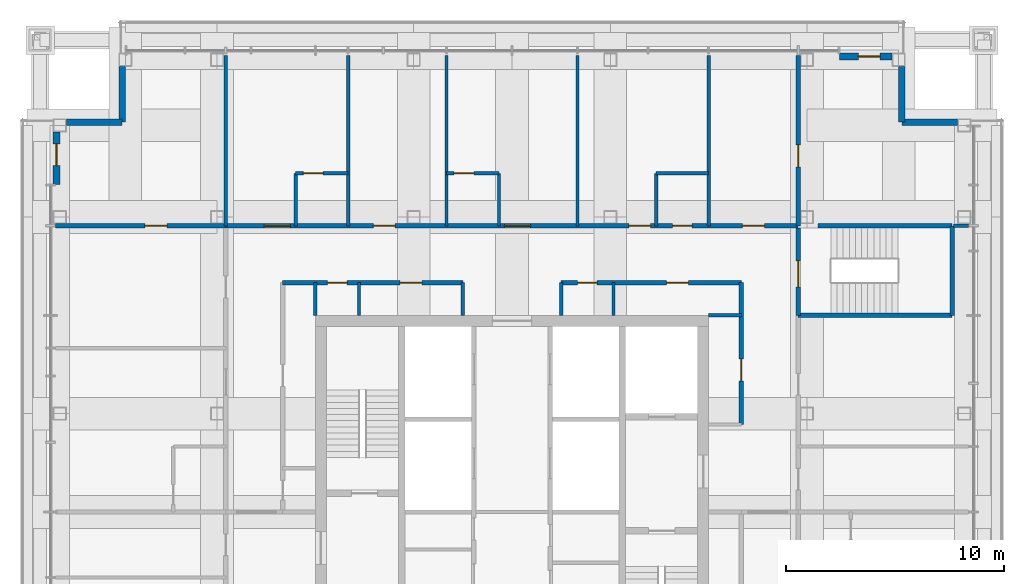
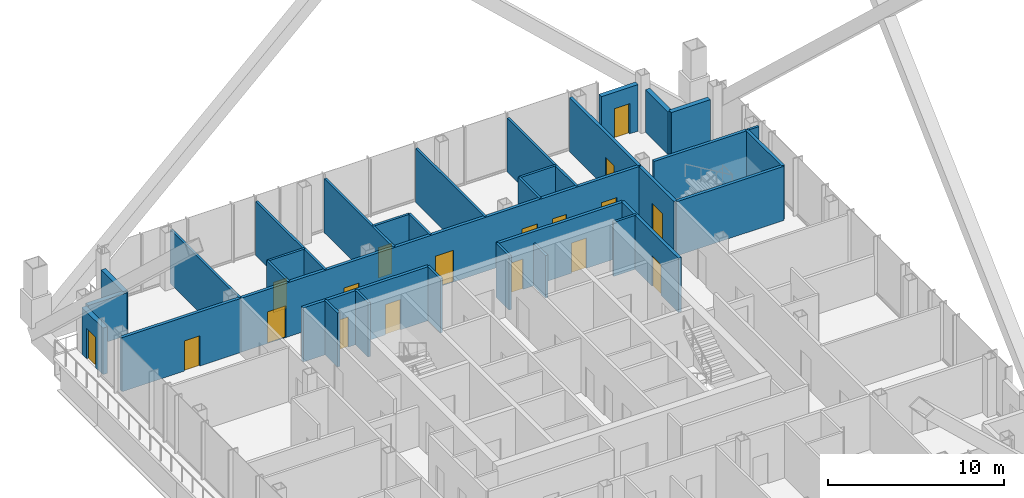
# One storey, part 15 of 19: 34 walls, 18 doors, 18 openings.
"""IFC4 building model written with IfcOpenShell, lengths in metres."""

from ifc_helpers import new_model, si_unit, direction, frame, frame_2d, origin, place, context, subcontext, project, spatial, rectangle, extrude, material, layer, layer_set, type_object, element, fill, save


model = new_model("IFC4")

# Units and contexts
model_context = context("Model", 3, precision=1e-05, world=origin(), true_north=direction((0.0, 1.0)))
body_context = subcontext(model_context, "Body", "Model", "MODEL_VIEW")
ifc_project = project(units=[si_unit("LENGTHUNIT", "METRE"), si_unit("AREAUNIT", "SQUARE_METRE"), si_unit("VOLUMEUNIT", "CUBIC_METRE"), si_unit("PLANEANGLEUNIT", "RADIAN"), si_unit("MASSUNIT", "GRAM", prefix="KILO")], contexts=[model_context])

# Site, building, storey
site_placement = place(None, origin())
site = spatial("IfcSite", under=ifc_project, at=site_placement, CompositionType="ELEMENT")
building_placement = place(site_placement, origin())
building = spatial("IfcBuilding", under=site, at=building_placement, Name="Malebo Sky Hospital", CompositionType="ELEMENT")
storey_placement = place(building_placement, frame((0.0, 0.0, 250.0)))
storey = spatial("IfcBuildingStorey", under=building, at=storey_placement, Name="L60", CompositionType="ELEMENT", Elevation=250.0)

# Wall, openings, doors
ifc_material_1 = material(Name="Gypsum board on steel studs", Category="steel")
ifc_layer_1 = layer(ifc_material_1, 0.199951171875)
ifc_layer_set_1 = layer_set([ifc_layer_1], Name="CORRIDOR WALL 200")
wall_type_1 = type_object("IfcWallType", Name="CORRIDOR WALL 200", PredefinedType="PARTITIONING", material=ifc_layer_set_1)
wall_1_placement = place(storey_placement, frame((46.89990234375, 75.10009765625, 0.0), z_axis=(0.0, 0.0, 1.0), x_axis=(1.0, 0.0, 0.0)))
wall_1 = element("IfcWall", 1, at=wall_1_placement, inside=storey, type_object=wall_type_1, Name="Corridor Wall 200 NCO", PredefinedType="PARTITIONING", context=body_context, shape_type="SweptSolid", body=[
    extrude(rectangle(XDim=26.2001953125, YDim=0.199951171875, at=frame_2d((13.10009765625, 0.0))), origin(), (0.0, 0.0, 1.0), 3.75),
])
opening_1_placement = place(wall_1_placement, frame((1.75, 0.0, 0.0)))
opening_1 = element("IfcOpeningElement", 2, at=opening_1_placement, cuts=wall_1, Name="Opening D01", PredefinedType="OPENING", context=body_context, shape_type="SweptSolid", body=[
    extrude(rectangle(XDim=1.199951171875, YDim=2.199951171875, at=frame_2d((0.60009765625, 1.10009765625))), frame((0.0, 0.10986328125, 0.0), z_axis=(0.0, -1.0, 0.0), x_axis=(1.0, 0.0, 0.0)), (0.0, 0.0, 1.0), 0.219970703125),
])
opening_2_placement = place(wall_1_placement, frame((6.75, 0.0, 0.0)))
opening_2 = element("IfcOpeningElement", 3, at=opening_2_placement, cuts=wall_1, Name="Opening D03", PredefinedType="OPENING", context=body_context, shape_type="SweptSolid", body=[
    extrude(rectangle(XDim=1.0, YDim=2.10009765625, at=frame_2d((0.5, 1.050048828125))), frame((0.0, 0.10986328125, 0.0), z_axis=(0.0, -1.0, 0.0), x_axis=(1.0, 0.0, 0.0)), (0.0, 0.0, 1.0), 0.219970703125),
])
opening_3_placement = place(wall_1_placement, frame((12.75, 0.0, 0.0)))
opening_3 = element("IfcOpeningElement", 4, at=opening_3_placement, cuts=wall_1, Name="Opening D01", PredefinedType="OPENING", context=body_context, shape_type="SweptSolid", body=[
    extrude(rectangle(XDim=1.199951171875, YDim=2.199951171875, at=frame_2d((0.60009765625, 1.10009765625))), frame((0.0, 0.10986328125, 0.0), z_axis=(0.0, -1.0, 0.0), x_axis=(1.0, 0.0, 0.0)), (0.0, 0.0, 1.0), 0.219970703125),
])
opening_4_placement = place(wall_1_placement, frame((20.449951171875, 0.0, 0.0)))
opening_4 = element("IfcOpeningElement", 5, at=opening_4_placement, cuts=wall_1, Name="Opening D04", PredefinedType="OPENING", context=body_context, shape_type="SweptSolid", body=[
    extrude(rectangle(XDim=0.89990234375, YDim=2.10009765625, at=frame_2d((0.449951171875, 1.050048828125))), frame((0.0, 0.10986328125, 0.0), z_axis=(0.0, -1.0, 0.0), x_axis=(1.0, 0.0, 0.0)), (0.0, 0.0, 1.0), 0.219970703125),
])
opening_5_placement = place(wall_1_placement, frame((18.449951171875, 0.0, 0.0)))
opening_5 = element("IfcOpeningElement", 6, at=opening_5_placement, cuts=wall_1, Name="Opening D03", PredefinedType="OPENING", context=body_context, shape_type="SweptSolid", body=[
    extrude(rectangle(XDim=1.0, YDim=2.10009765625, at=frame_2d((0.5, 1.050048828125))), frame((0.0, 0.10986328125, 0.0), z_axis=(0.0, -1.0, 0.0), x_axis=(1.0, 0.0, 0.0)), (0.0, 0.0, 1.0), 0.219970703125),
])
opening_6_placement = place(wall_1_placement, frame((23.64990234375, 0.0, 0.0)))
opening_6 = element("IfcOpeningElement", 7, at=opening_6_placement, cuts=wall_1, Name="Opening D17", PredefinedType="OPENING", context=body_context, shape_type="SweptSolid", body=[
    extrude(rectangle(XDim=1.0, YDim=2.10009765625, at=frame_2d((0.5, 1.050048828125))), frame((0.0, 0.10986328125, 0.0), z_axis=(0.0, -1.0, 0.0), x_axis=(1.0, 0.0, 0.0)), (0.0, 0.0, 1.0), 0.219970703125),
])
ifc_material_2 = material(Name="Hardwood-faced door leaf in steel frame", Category="steel")
door_type_1 = type_object("IfcDoorType", Name="BED DOOR 1200", OperationType="SINGLE_SWING_LEFT", PredefinedType="DOOR", material=ifc_material_2)
door_1_placement = place(opening_1_placement, origin())
door_1 = element("IfcDoor", 8, at=door_1_placement, inside=storey, type_object=door_type_1, Name="Single bed room door", OperationType="SINGLE_SWING_RIGHT", OverallHeight=2.199951171875, OverallWidth=1.199951171875, PredefinedType="DOOR", context=body_context, shape_type="SweptSolid", body=[
    extrude(rectangle(XDim=1.199951171875, YDim=2.199951171875, at=frame_2d((0.60009765625, 1.10009765625))), frame((0.0, 0.02490234375, 0.0), z_axis=(0.0, -1.0, 0.0), x_axis=(1.0, 0.0, 0.0)), (0.0, 0.0, 1.0), 0.050048828125),
])
fill(opening_1, door_1)
door_2_placement = place(opening_3_placement, origin())
door_2 = element("IfcDoor", 9, at=door_2_placement, inside=storey, type_object=door_type_1, Name="Two-bed room door", OperationType="SINGLE_SWING_LEFT", OverallHeight=2.199951171875, OverallWidth=1.199951171875, PredefinedType="DOOR", context=body_context, shape_type="SweptSolid", body=[
    extrude(rectangle(XDim=1.199951171875, YDim=2.199951171875, at=frame_2d((0.60009765625, 1.10009765625))), frame((0.0, 0.02490234375, 0.0), z_axis=(0.0, -1.0, 0.0), x_axis=(1.0, 0.0, 0.0)), (0.0, 0.0, 1.0), 0.050048828125),
])
fill(opening_3, door_2)
door_type_2 = type_object("IfcDoorType", Name="FIRE DOOR 1000", OperationType="SINGLE_SWING_LEFT", PredefinedType="DOOR", material=ifc_material_2)
door_3_placement = place(opening_6_placement, origin())
door_3 = element("IfcDoor", 10, at=door_3_placement, inside=storey, type_object=door_type_2, Name="Facade access lobby door", OperationType="SINGLE_SWING_RIGHT", OverallHeight=2.10009765625, OverallWidth=1.0, PredefinedType="DOOR", context=body_context, shape_type="SweptSolid", body=[
    extrude(rectangle(XDim=1.0, YDim=2.10009765625, at=frame_2d((0.5, 1.050048828125))), frame((0.0, 0.02490234375, 0.0), z_axis=(0.0, -1.0, 0.0), x_axis=(1.0, 0.0, 0.0)), (0.0, 0.0, 1.0), 0.050048828125),
])
fill(opening_6, door_3)
door_type_3 = type_object("IfcDoorType", Name="ROOM DOOR 1000", OperationType="SINGLE_SWING_LEFT", PredefinedType="DOOR", material=ifc_material_2)
door_4_placement = place(opening_2_placement, origin())
door_4 = element("IfcDoor", 11, at=door_4_placement, inside=storey, type_object=door_type_3, Name="Nurse station door", OperationType="SINGLE_SWING_LEFT", OverallHeight=2.10009765625, OverallWidth=1.0, PredefinedType="DOOR", context=body_context, shape_type="SweptSolid", body=[
    extrude(rectangle(XDim=1.0, YDim=2.10009765625, at=frame_2d((0.5, 1.050048828125))), frame((0.0, 0.02490234375, 0.0), z_axis=(0.0, -1.0, 0.0), x_axis=(1.0, 0.0, 0.0)), (0.0, 0.0, 1.0), 0.050048828125),
])
fill(opening_2, door_4)
door_5_placement = place(opening_5_placement, origin())
door_5 = element("IfcDoor", 12, at=door_5_placement, inside=storey, type_object=door_type_3, Name="Staff rest room door", OperationType="SINGLE_SWING_RIGHT", OverallHeight=2.10009765625, OverallWidth=1.0, PredefinedType="DOOR", context=body_context, shape_type="SweptSolid", body=[
    extrude(rectangle(XDim=1.0, YDim=2.10009765625, at=frame_2d((0.5, 1.050048828125))), frame((0.0, 0.02490234375, 0.0), z_axis=(0.0, -1.0, 0.0), x_axis=(1.0, 0.0, 0.0)), (0.0, 0.0, 1.0), 0.050048828125),
])
fill(opening_5, door_5)
door_type_4 = type_object("IfcDoorType", Name="ROOM DOOR 900", OperationType="SINGLE_SWING_LEFT", PredefinedType="DOOR", material=ifc_material_2)
door_6_placement = place(opening_4_placement, origin())
door_6 = element("IfcDoor", 13, at=door_6_placement, inside=storey, type_object=door_type_4, Name="Accessible WC door", OperationType="SINGLE_SWING_LEFT", OverallHeight=2.10009765625, OverallWidth=0.89990234375, PredefinedType="DOOR", context=body_context, shape_type="SweptSolid", body=[
    extrude(rectangle(XDim=0.89990234375, YDim=2.10009765625, at=frame_2d((0.449951171875, 1.050048828125))), frame((0.0, 0.02490234375, 0.0), z_axis=(0.0, -1.0, 0.0), x_axis=(1.0, 0.0, 0.0)), (0.0, 0.0, 1.0), 0.050048828125),
])
fill(opening_4, door_6)

# Wall, opening, door
wall_2_placement = place(storey_placement, frame((73.10009765625, 75.10009765625, 0.0), z_axis=(0.0, 0.0, 1.0), x_axis=(0.0, 1.0, 0.0)))
wall_2 = element("IfcWall", 14, at=wall_2_placement, inside=storey, type_object=wall_type_1, Name="Corridor Wall 200 NK", PredefinedType="PARTITIONING", context=body_context, shape_type="SweptSolid", body=[
    extrude(rectangle(XDim=7.7998046875, YDim=0.199951171875, at=frame_2d((3.89990234375, 0.0))), origin(), (0.0, 0.0, 1.0), 3.75),
])
opening_7_placement = place(wall_2_placement, frame((2.699951171875, 0.0, 0.0)))
opening_7 = element("IfcOpeningElement", 15, at=opening_7_placement, cuts=wall_2, Name="Opening D17", PredefinedType="OPENING", context=body_context, shape_type="SweptSolid", body=[
    extrude(rectangle(XDim=1.0, YDim=2.10009765625, at=frame_2d((0.5, 1.050048828125))), frame((0.0, 0.10986328125, 0.0), z_axis=(0.0, -1.0, 0.0), x_axis=(1.0, 0.0, 0.0)), (0.0, 0.0, 1.0), 0.219970703125),
])
door_7_placement = place(opening_7_placement, origin())
door_7 = element("IfcDoor", 16, at=door_7_placement, inside=storey, type_object=door_type_2, Name="Facade maintenance store door", OperationType="SINGLE_SWING_LEFT", OverallHeight=2.10009765625, OverallWidth=1.0, PredefinedType="DOOR", context=body_context, shape_type="SweptSolid", body=[
    extrude(rectangle(XDim=1.0, YDim=2.10009765625, at=frame_2d((0.5, 1.050048828125))), frame((0.0, 0.02490234375, 0.0), z_axis=(0.0, -1.0, 0.0), x_axis=(1.0, 0.0, 0.0)), (0.0, 0.0, 1.0), 0.050048828125),
])
fill(opening_7, door_7)

# Wall, openings, doors
wall_3_placement = place(storey_placement, frame((49.5, 72.5, 0.0), z_axis=(0.0, 0.0, 1.0), x_axis=(1.0, 0.0, 0.0)))
wall_3 = element("IfcWall", 17, at=wall_3_placement, inside=storey, type_object=wall_type_1, Name="Corridor Wall 200 NCI1", PredefinedType="PARTITIONING", context=body_context, shape_type="SweptSolid", body=[
    extrude(rectangle(XDim=8.25, YDim=0.199951171875, at=frame_2d((4.125, 0.0))), origin(), (0.0, 0.0, 1.0), 3.75),
])
opening_8_placement = place(wall_3_placement, frame((2.050048828125, 0.0, 0.0)))
opening_8 = element("IfcOpeningElement", 18, at=opening_8_placement, cuts=wall_3, Name="Opening D04", PredefinedType="OPENING", context=body_context, shape_type="SweptSolid", body=[
    extrude(rectangle(XDim=0.89990234375, YDim=2.10009765625, at=frame_2d((0.449951171875, 1.050048828125))), frame((0.0, 0.10986328125, 0.0), z_axis=(0.0, -1.0, 0.0), x_axis=(1.0, 0.0, 0.0)), (0.0, 0.0, 1.0), 0.219970703125),
])
opening_9_placement = place(wall_3_placement, frame((5.375, 0.0, 0.0)))
opening_9 = element("IfcOpeningElement", 19, at=opening_9_placement, cuts=wall_3, Name="Opening D03", PredefinedType="OPENING", context=body_context, shape_type="SweptSolid", body=[
    extrude(rectangle(XDim=1.0, YDim=2.10009765625, at=frame_2d((0.5, 1.050048828125))), frame((0.0, 0.10986328125, 0.0), z_axis=(0.0, -1.0, 0.0), x_axis=(1.0, 0.0, 0.0)), (0.0, 0.0, 1.0), 0.219970703125),
])
door_8_placement = place(opening_9_placement, origin())
door_8 = element("IfcDoor", 20, at=door_8_placement, inside=storey, type_object=door_type_3, Name="Linen store door", OperationType="SINGLE_SWING_LEFT", OverallHeight=2.10009765625, OverallWidth=1.0, PredefinedType="DOOR", context=body_context, shape_type="SweptSolid", body=[
    extrude(rectangle(XDim=1.0, YDim=2.10009765625, at=frame_2d((0.5, 1.050048828125))), frame((0.0, 0.02490234375, 0.0), z_axis=(0.0, -1.0, 0.0), x_axis=(1.0, 0.0, 0.0)), (0.0, 0.0, 1.0), 0.050048828125),
])
fill(opening_9, door_8)
door_9_placement = place(opening_8_placement, origin())
door_9 = element("IfcDoor", 21, at=door_9_placement, inside=storey, type_object=door_type_4, Name="Staff WC door", OperationType="SINGLE_SWING_LEFT", OverallHeight=2.10009765625, OverallWidth=0.89990234375, PredefinedType="DOOR", context=body_context, shape_type="SweptSolid", body=[
    extrude(rectangle(XDim=0.89990234375, YDim=2.10009765625, at=frame_2d((0.449951171875, 1.050048828125))), frame((0.0, 0.02490234375, 0.0), z_axis=(0.0, -1.0, 0.0), x_axis=(1.0, 0.0, 0.0)), (0.0, 0.0, 1.0), 0.050048828125),
])
fill(opening_8, door_9)

wall_4_placement = place(storey_placement, frame((62.25, 72.5, 0.0), z_axis=(0.0, 0.0, 1.0), x_axis=(1.0, 0.0, 0.0)))
wall_4 = element("IfcWall", 22, at=wall_4_placement, inside=storey, type_object=wall_type_1, Name="Corridor Wall 200 NCI2", PredefinedType="PARTITIONING", context=body_context, shape_type="SweptSolid", body=[
    extrude(rectangle(XDim=8.25, YDim=0.199951171875, at=frame_2d((4.125, 0.0))), origin(), (0.0, 0.0, 1.0), 3.75),
])
opening_10_placement = place(wall_4_placement, frame((0.75, 0.0, 0.0)))
opening_10 = element("IfcOpeningElement", 23, at=opening_10_placement, cuts=wall_4, Name="Opening D04", PredefinedType="OPENING", context=body_context, shape_type="SweptSolid", body=[
    extrude(rectangle(XDim=0.89990234375, YDim=2.10009765625, at=frame_2d((0.449951171875, 1.050048828125))), frame((0.0, 0.10986328125, 0.0), z_axis=(0.0, -1.0, 0.0), x_axis=(1.0, 0.0, 0.0)), (0.0, 0.0, 1.0), 0.219970703125),
])
opening_11_placement = place(wall_4_placement, frame((4.824951171875, 0.0, 0.0)))
opening_11 = element("IfcOpeningElement", 24, at=opening_11_placement, cuts=wall_4, Name="Opening D03", PredefinedType="OPENING", context=body_context, shape_type="SweptSolid", body=[
    extrude(rectangle(XDim=1.0, YDim=2.10009765625, at=frame_2d((0.5, 1.050048828125))), frame((0.0, 0.10986328125, 0.0), z_axis=(0.0, -1.0, 0.0), x_axis=(1.0, 0.0, 0.0)), (0.0, 0.0, 1.0), 0.219970703125),
])
door_10_placement = place(opening_11_placement, origin())
door_10 = element("IfcDoor", 25, at=door_10_placement, inside=storey, type_object=door_type_3, Name="Supplies store door", OperationType="SINGLE_SWING_RIGHT", OverallHeight=2.10009765625, OverallWidth=1.0, PredefinedType="DOOR", context=body_context, shape_type="SweptSolid", body=[
    extrude(rectangle(XDim=1.0, YDim=2.10009765625, at=frame_2d((0.5, 1.050048828125))), frame((0.0, 0.02490234375, 0.0), z_axis=(0.0, -1.0, 0.0), x_axis=(1.0, 0.0, 0.0)), (0.0, 0.0, 1.0), 0.050048828125),
])
fill(opening_11, door_10)
door_11_placement = place(opening_10_placement, origin())
door_11 = element("IfcDoor", 26, at=door_11_placement, inside=storey, type_object=door_type_4, Name="Cleaner's room door", OperationType="SINGLE_SWING_LEFT", OverallHeight=2.10009765625, OverallWidth=0.89990234375, PredefinedType="DOOR", context=body_context, shape_type="SweptSolid", body=[
    extrude(rectangle(XDim=0.89990234375, YDim=2.10009765625, at=frame_2d((0.449951171875, 1.050048828125))), frame((0.0, 0.02490234375, 0.0), z_axis=(0.0, -1.0, 0.0), x_axis=(1.0, 0.0, 0.0)), (0.0, 0.0, 1.0), 0.050048828125),
])
fill(opening_10, door_11)

# Wall, opening, door
wall_5_placement = place(storey_placement, frame((46.89990234375, 75.10009765625, 0.0), z_axis=(0.0, 0.0, 1.0), x_axis=(-1.0, 0.0, 0.0)))
wall_5 = element("IfcWall", 27, at=wall_5_placement, inside=storey, type_object=wall_type_1, Name="Corridor Wall 200 WK", PredefinedType="PARTITIONING", context=body_context, shape_type="SweptSolid", body=[
    extrude(rectangle(XDim=7.7998046875, YDim=0.199951171875, at=frame_2d((3.89990234375, 0.0))), origin(), (0.0, 0.0, 1.0), 3.75),
])
opening_12_placement = place(wall_5_placement, frame((2.699951171875, 0.0, 0.0)))
opening_12 = element("IfcOpeningElement", 28, at=opening_12_placement, cuts=wall_5, Name="Opening D17", PredefinedType="OPENING", context=body_context, shape_type="SweptSolid", body=[
    extrude(rectangle(XDim=1.0, YDim=2.10009765625, at=frame_2d((0.5, 1.050048828125))), frame((0.0, 0.10986328125, 0.0), z_axis=(0.0, -1.0, 0.0), x_axis=(1.0, 0.0, 0.0)), (0.0, 0.0, 1.0), 0.219970703125),
])
door_12_placement = place(opening_12_placement, origin())
door_12 = element("IfcDoor", 29, at=door_12_placement, inside=storey, type_object=door_type_2, Name="Facade maintenance store door", OperationType="SINGLE_SWING_LEFT", OverallHeight=2.10009765625, OverallWidth=1.0, PredefinedType="DOOR", context=body_context, shape_type="SweptSolid", body=[
    extrude(rectangle(XDim=1.0, YDim=2.10009765625, at=frame_2d((0.5, 1.050048828125))), frame((0.0, 0.02490234375, 0.0), z_axis=(0.0, -1.0, 0.0), x_axis=(1.0, 0.0, 0.0)), (0.0, 0.0, 1.0), 0.050048828125),
])
fill(opening_12, door_12)

wall_6_placement = place(storey_placement, frame((70.5, 72.5, 0.0), z_axis=(0.0, 0.0, 1.0), x_axis=(0.0, -1.0, 0.0)))
wall_6 = element("IfcWall", 30, at=wall_6_placement, inside=storey, type_object=wall_type_1, Name="Corridor Wall 200 ECI1", PredefinedType="PARTITIONING", context=body_context, shape_type="SweptSolid", body=[
    extrude(rectangle(XDim=6.5, YDim=0.199951171875, at=frame_2d((3.25, 0.0))), origin(), (0.0, 0.0, 1.0), 3.75),
])
opening_13_placement = place(wall_6_placement, frame((3.5, 0.0, 0.0)))
opening_13 = element("IfcOpeningElement", 31, at=opening_13_placement, cuts=wall_6, Name="Opening D03", PredefinedType="OPENING", context=body_context, shape_type="SweptSolid", body=[
    extrude(rectangle(XDim=1.0, YDim=2.10009765625, at=frame_2d((0.5, 1.050048828125))), frame((0.0, 0.10986328125, 0.0), z_axis=(0.0, -1.0, 0.0), x_axis=(1.0, 0.0, 0.0)), (0.0, 0.0, 1.0), 0.219970703125),
])
door_13_placement = place(opening_13_placement, origin())
door_13 = element("IfcDoor", 32, at=door_13_placement, inside=storey, type_object=door_type_3, Name="Hoist store door", OperationType="SINGLE_SWING_LEFT", OverallHeight=2.10009765625, OverallWidth=1.0, PredefinedType="DOOR", context=body_context, shape_type="SweptSolid", body=[
    extrude(rectangle(XDim=1.0, YDim=2.10009765625, at=frame_2d((0.5, 1.050048828125))), frame((0.0, 0.02490234375, 0.0), z_axis=(0.0, -1.0, 0.0), x_axis=(1.0, 0.0, 0.0)), (0.0, 0.0, 1.0), 0.050048828125),
])
fill(opening_13, door_13)

ifc_material_3 = material(Name="Anodised aluminium rainscreen on steel framing", Category="steel")
ifc_layer_2 = layer(ifc_material_3, 0.300048828125)
ifc_layer_set_2 = layer_set([ifc_layer_2], Name="NOTCH RAINSCREEN WALL 300")
wall_type_2 = type_object("IfcWallType", Name="NOTCH RAINSCREEN WALL 300", PredefinedType="ELEMENTEDWALL", material=ifc_layer_set_2)
wall_7_placement = place(storey_placement, frame((75.0, 82.85009765625, 0.0), z_axis=(0.0, 0.0, 1.0), x_axis=(1.0, 0.0, 0.0)))
wall_7 = element("IfcWall", 33, at=wall_7_placement, inside=storey, type_object=wall_type_2, Name="Rainscreen panel at maintenance door L60", PredefinedType="ELEMENTEDWALL", context=body_context, shape_type="SweptSolid", body=[
    extrude(rectangle(XDim=2.39990234375, YDim=0.300048828125, at=frame_2d((1.199951171875, 0.0))), origin(), (0.0, 0.0, 1.0), 3.22607421875),
])
opening_14_placement = place(wall_7_placement, frame((0.85009765625, 0.0, 0.0)))
opening_14 = element("IfcOpeningElement", 34, at=opening_14_placement, cuts=wall_7, Name="Opening D30", PredefinedType="OPENING", context=body_context, shape_type="SweptSolid", body=[
    extrude(rectangle(XDim=1.0, YDim=2.10009765625, at=frame_2d((0.5, 1.050048828125))), frame((0.0, 0.159912109375, 0.0), z_axis=(0.0, -1.0, 0.0), x_axis=(1.0, 0.0, 0.0)), (0.0, 0.0, 1.0), 0.320068359375),
])
ifc_material_4 = material(Name="Galvanised steel weathertight door leaf in steel frame", Category="steel")
door_type_5 = type_object("IfcDoorType", Name="MAINTENANCE ACCESS DOOR 1000", OperationType="SINGLE_SWING_LEFT", PredefinedType="DOOR", material=ifc_material_4)
door_14_placement = place(opening_14_placement, frame((1.0, 0.0, 0.0), z_axis=(0.0, 0.0, 1.0), x_axis=(-1.0, 0.0, 0.0)))
door_14 = element("IfcDoor", 35, at=door_14_placement, inside=storey, type_object=door_type_5, Name="Maintenance access door to roof", OperationType="SINGLE_SWING_RIGHT", OverallHeight=2.10009765625, OverallWidth=1.0, PredefinedType="DOOR", context=body_context, shape_type="SweptSolid", body=[
    extrude(rectangle(XDim=1.0, YDim=2.10009765625, at=frame_2d((0.5, 1.050048828125))), frame((0.0, 0.02490234375, 0.0), z_axis=(0.0, -1.0, 0.0), x_axis=(1.0, 0.0, 0.0)), (0.0, 0.0, 1.0), 0.050048828125),
])
fill(opening_14, door_14)

wall_8_placement = place(storey_placement, frame((39.14990234375, 77.0, 0.0), z_axis=(0.0, 0.0, 1.0), x_axis=(0.0, 1.0, 0.0)))
wall_8 = element("IfcWall", 36, at=wall_8_placement, inside=storey, type_object=wall_type_2, Name="Rainscreen panel at maintenance door L60", PredefinedType="ELEMENTEDWALL", context=body_context, shape_type="SweptSolid", body=[
    extrude(rectangle(XDim=2.39990234375, YDim=0.300048828125, at=frame_2d((1.199951171875, 0.0))), origin(), (0.0, 0.0, 1.0), 3.22607421875),
])
opening_15_placement = place(wall_8_placement, frame((0.85009765625, 0.0, 0.0)))
opening_15 = element("IfcOpeningElement", 37, at=opening_15_placement, cuts=wall_8, Name="Opening D30", PredefinedType="OPENING", context=body_context, shape_type="SweptSolid", body=[
    extrude(rectangle(XDim=1.0, YDim=2.10009765625, at=frame_2d((0.5, 1.050048828125))), frame((0.0, 0.159912109375, 0.0), z_axis=(0.0, -1.0, 0.0), x_axis=(1.0, 0.0, 0.0)), (0.0, 0.0, 1.0), 0.320068359375),
])
door_15_placement = place(opening_15_placement, frame((1.0, 0.0, 0.0), z_axis=(0.0, 0.0, 1.0), x_axis=(-1.0, 0.0, 0.0)))
door_15 = element("IfcDoor", 38, at=door_15_placement, inside=storey, type_object=door_type_5, Name="Maintenance access door to roof", OperationType="SINGLE_SWING_RIGHT", OverallHeight=2.10009765625, OverallWidth=1.0, PredefinedType="DOOR", context=body_context, shape_type="SweptSolid", body=[
    extrude(rectangle(XDim=1.0, YDim=2.10009765625, at=frame_2d((0.5, 1.050048828125))), frame((0.0, 0.02490234375, 0.0), z_axis=(0.0, -1.0, 0.0), x_axis=(1.0, 0.0, 0.0)), (0.0, 0.0, 1.0), 0.050048828125),
])
fill(opening_15, door_15)

# Walls
for number, where, z_axis, x_axis, name in (
    (39, (77.85009765625, 82.39990234375, 0.0), (0.0, 0.0, 1.0), (0.0, -1.0, 0.0), "Notch rainscreen wall N1 L60"),
    (40, (77.85009765625, 79.85009765625, 0.0), (0.0, 0.0, 1.0), (1.0, 0.0, 0.0), "Notch rainscreen wall N2 L60"),
    (41, (39.60009765625, 79.85009765625, 0.0), (0.0, 0.0, 1.0), (1.0, 0.0, 0.0), "Notch rainscreen wall W1 L60"),
    (42, (42.14990234375, 79.85009765625, 0.0), (0.0, 0.0, 1.0), (0.0, 1.0, 0.0), "Notch rainscreen wall W2 L60"),
):
    element("IfcWall", number, at=place(storey_placement, frame(where, z_axis=z_axis, x_axis=x_axis)), inside=storey, type_object=wall_type_2, Name=name, PredefinedType="ELEMENTEDWALL", context=body_context, shape_type="SweptSolid", body=[
        extrude(rectangle(XDim=2.5498046875, YDim=0.300048828125, at=frame_2d((1.27490234375, 0.0))), origin(), (0.0, 0.0, 1.0), 2.949951171875),
    ])
ifc_layer_3 = layer(ifc_material_1, 0.14990234375)
ifc_layer_set_3 = layer_set([ifc_layer_3], Name="PARTITION 150")
wall_type_3 = type_object("IfcWallType", Name="PARTITION 150", PredefinedType="PARTITIONING", material=ifc_layer_set_3)
for number, where, z_axis, x_axis, name in (
    (43, (52.5, 75.10009765625, 0.0), (0.0, 0.0, 1.0), (0.0, 1.0, 0.0), "Partition 150 NP-7.5"),
    (44, (57.0, 75.10009765625, 0.0), (0.0, 0.0, 1.0), (0.0, 1.0, 0.0), "Partition 150 NP-3.0"),
    (45, (63.0, 75.10009765625, 0.0), (0.0, 0.0, 1.0), (0.0, 1.0, 0.0), "Partition 150 NP+3.0"),
    (46, (69.0, 75.10009765625, 0.0), (0.0, 0.0, 1.0), (0.0, 1.0, 0.0), "Partition 150 NP+9.0"),
    (47, (46.89990234375, 75.10009765625, 0.0), (0.0, 0.0, 1.0), (0.0, 1.0, 0.0), "Partition 150 NP0"),
):
    element("IfcWall", number, at=place(storey_placement, frame(where, z_axis=z_axis, x_axis=x_axis)), inside=storey, type_object=wall_type_3, Name=name, PredefinedType="PARTITIONING", context=body_context, shape_type="SweptSolid", body=[
        extrude(rectangle(XDim=7.7998046875, YDim=0.14990234375, at=frame_2d((3.89990234375, 0.0))), origin(), (0.0, 0.0, 1.0), 3.75),
    ])

# Wall, opening, door
wall_9_placement = place(storey_placement, frame((50.10009765625, 77.5, 0.0), z_axis=(0.0, 0.0, 1.0), x_axis=(1.0, 0.0, 0.0)))
wall_9 = element("IfcWall", 48, at=wall_9_placement, inside=storey, type_object=wall_type_3, Name="Partition 150 NE0F", PredefinedType="PARTITIONING", context=body_context, shape_type="SweptSolid", body=[
    extrude(rectangle(XDim=2.39990234375, YDim=0.14990234375, at=frame_2d((1.199951171875, 0.0))), origin(), (0.0, 0.0, 1.0), 3.75),
])
opening_16_placement = place(wall_9_placement, frame((0.35009765625, 0.0, 0.0)))
opening_16 = element("IfcOpeningElement", 49, at=opening_16_placement, cuts=wall_9, Name="Opening D02", PredefinedType="OPENING", context=body_context, shape_type="SweptSolid", body=[
    extrude(rectangle(XDim=0.89990234375, YDim=2.10009765625, at=frame_2d((0.449951171875, 1.050048828125))), frame((0.0, 0.0849609375, 0.0), z_axis=(0.0, -1.0, 0.0), x_axis=(1.0, 0.0, 0.0)), (0.0, 0.0, 1.0), 0.169921875),
])
door_type_6 = type_object("IfcDoorType", Name="EN-SUITE DOOR 900", OperationType="SINGLE_SWING_LEFT", PredefinedType="DOOR", material=ifc_material_2)
door_16_placement = place(opening_16_placement, origin())
door_16 = element("IfcDoor", 50, at=door_16_placement, inside=storey, type_object=door_type_6, Name="En-suite door", OperationType="SINGLE_SWING_LEFT", OverallHeight=2.10009765625, OverallWidth=0.89990234375, PredefinedType="DOOR", context=body_context, shape_type="SweptSolid", body=[
    extrude(rectangle(XDim=0.89990234375, YDim=2.10009765625, at=frame_2d((0.449951171875, 1.050048828125))), frame((0.0, 0.02490234375, 0.0), z_axis=(0.0, -1.0, 0.0), x_axis=(1.0, 0.0, 0.0)), (0.0, 0.0, 1.0), 0.050048828125),
])
fill(opening_16, door_16)

# Wall
wall_10_placement = place(storey_placement, frame((50.10009765625, 75.10009765625, 0.0), z_axis=(0.0, 0.0, 1.0), x_axis=(0.0, 1.0, 0.0)))
element("IfcWall", 51, at=wall_10_placement, inside=storey, type_object=wall_type_3, Name="Partition 150 NE0S", PredefinedType="PARTITIONING", context=body_context, shape_type="SweptSolid", body=[
    extrude(rectangle(XDim=2.39990234375, YDim=0.14990234375, at=frame_2d((1.199951171875, 0.0))), origin(), (0.0, 0.0, 1.0), 3.75),
])

# Wall, opening, door
wall_11_placement = place(storey_placement, frame((57.0, 77.5, 0.0), z_axis=(0.0, 0.0, 1.0), x_axis=(1.0, 0.0, 0.0)))
wall_11 = element("IfcWall", 52, at=wall_11_placement, inside=storey, type_object=wall_type_3, Name="Partition 150 NE2F", PredefinedType="PARTITIONING", context=body_context, shape_type="SweptSolid", body=[
    extrude(rectangle(XDim=2.39990234375, YDim=0.14990234375, at=frame_2d((1.199951171875, 0.0))), origin(), (0.0, 0.0, 1.0), 3.75),
])
opening_17_placement = place(wall_11_placement, frame((0.35009765625, 0.0, 0.0)))
opening_17 = element("IfcOpeningElement", 53, at=opening_17_placement, cuts=wall_11, Name="Opening D02", PredefinedType="OPENING", context=body_context, shape_type="SweptSolid", body=[
    extrude(rectangle(XDim=0.89990234375, YDim=2.10009765625, at=frame_2d((0.449951171875, 1.050048828125))), frame((0.0, 0.0849609375, 0.0), z_axis=(0.0, -1.0, 0.0), x_axis=(1.0, 0.0, 0.0)), (0.0, 0.0, 1.0), 0.169921875),
])
door_17_placement = place(opening_17_placement, origin())
door_17 = element("IfcDoor", 54, at=door_17_placement, inside=storey, type_object=door_type_6, Name="En-suite door", OperationType="SINGLE_SWING_LEFT", OverallHeight=2.10009765625, OverallWidth=0.89990234375, PredefinedType="DOOR", context=body_context, shape_type="SweptSolid", body=[
    extrude(rectangle(XDim=0.89990234375, YDim=2.10009765625, at=frame_2d((0.449951171875, 1.050048828125))), frame((0.0, 0.02490234375, 0.0), z_axis=(0.0, -1.0, 0.0), x_axis=(1.0, 0.0, 0.0)), (0.0, 0.0, 1.0), 0.050048828125),
])
fill(opening_17, door_17)

# Walls
for number, where, z_axis, x_axis, name in (
    (55, (59.39990234375, 75.10009765625, 0.0), (0.0, 0.0, 1.0), (0.0, 1.0, 0.0), "Partition 150 NE2S"),
    (56, (66.60009765625, 77.5, 0.0), (0.0, 0.0, 1.0), (1.0, 0.0, 0.0), "Partition 150 NC3F"),
    (57, (66.60009765625, 75.10009765625, 0.0), (0.0, 0.0, 1.0), (0.0, 1.0, 0.0), "Partition 150 NC3S"),
):
    element("IfcWall", number, at=place(storey_placement, frame(where, z_axis=z_axis, x_axis=x_axis)), inside=storey, type_object=wall_type_3, Name=name, PredefinedType="PARTITIONING", context=body_context, shape_type="SweptSolid", body=[
        extrude(rectangle(XDim=2.39990234375, YDim=0.14990234375, at=frame_2d((1.199951171875, 0.0))), origin(), (0.0, 0.0, 1.0), 3.75),
    ])
for number, where, z_axis, x_axis, name in (
    (58, (51.0, 71.0, 0.0), (0.0, 0.0, 1.0), (0.0, 1.0, 0.0), "Partition 150 NSP0"),
    (59, (57.75, 71.0, 0.0), (0.0, 0.0, 1.0), (0.0, 1.0, 0.0), "Partition 150 NSPA"),
    (60, (62.25, 71.0, 0.0), (0.0, 0.0, 1.0), (0.0, 1.0, 0.0), "Partition 150 NSPB"),
    (61, (53.0, 71.0, 0.0), (0.0, 0.0, 1.0), (0.0, 1.0, 0.0), "Partition 150 NSP-7.0"),
):
    element("IfcWall", number, at=place(storey_placement, frame(where, z_axis=z_axis, x_axis=x_axis)), inside=storey, type_object=wall_type_3, Name=name, PredefinedType="PARTITIONING", context=body_context, shape_type="SweptSolid", body=[
        extrude(rectangle(XDim=1.5, YDim=0.14990234375, at=frame_2d((0.75, 0.0))), origin(), (0.0, 0.0, 1.0), 3.75),
    ])
wall_12_placement = place(storey_placement, frame((64.64990234375, 71.0, 0.0), z_axis=(0.0, 0.0, 1.0), x_axis=(0.0, 1.0, 0.0)))
element("IfcWall", 62, at=wall_12_placement, inside=storey, type_object=wall_type_3, Name="Partition 150 NSP+4.7", PredefinedType="PARTITIONING", context=body_context, shape_type="SweptSolid", body=[
    extrude(rectangle(XDim=1.5, YDim=0.14990234375, at=frame_2d((0.75, 0.0))), origin(), (0.0, 0.0, 1.0), 2.949951171875),
])
wall_13_placement = place(storey_placement, frame((80.199951171875, 75.10009765625, 0.0), z_axis=(0.0, 0.0, 1.0), x_axis=(1.0, 0.0, 0.0)))
element("IfcWall", 63, at=wall_13_placement, inside=storey, type_object=wall_type_3, Name="Partition 150 EP0", PredefinedType="PARTITIONING", context=body_context, shape_type="SweptSolid", body=[
    extrude(rectangle(XDim=0.699951171875, YDim=0.14990234375, at=frame_2d((0.35009765625, 0.0))), origin(), (0.0, 0.0, 1.0), 3.75),
])
wall_14_placement = place(storey_placement, frame((69.0, 71.0, 0.0), z_axis=(0.0, 0.0, 1.0), x_axis=(1.0, 0.0, 0.0)))
element("IfcWall", 64, at=wall_14_placement, inside=storey, type_object=wall_type_3, Name="Partition 150 ESP0", PredefinedType="PARTITIONING", context=body_context, shape_type="SweptSolid", body=[
    extrude(rectangle(XDim=1.5, YDim=0.14990234375, at=frame_2d((0.75, 0.0))), origin(), (0.0, 0.0, 1.0), 3.75),
])

# Wall, opening, door
ifc_material_5 = material(Name="Concrete C40/50", Category="concrete")
ifc_layer_4 = layer(ifc_material_5, 0.199951171875)
ifc_layer_set_4 = layer_set([ifc_layer_4], Name="STAIR ENCLOSURE WALL 200")
wall_type_4 = type_object("IfcWallType", Name="STAIR ENCLOSURE WALL 200", PredefinedType="SOLIDWALL", material=ifc_layer_set_4)
wall_15_placement = place(storey_placement, frame((73.10009765625, 75.0, 0.0), z_axis=(0.0, 0.0, 1.0), x_axis=(0.0, -1.0, 0.0)))
wall_15 = element("IfcWall", 65, at=wall_15_placement, inside=storey, type_object=wall_type_4, Name="Stair Enclosure Wall 200 ST3W", PredefinedType="SOLIDWALL", context=body_context, shape_type="SweptSolid", body=[
    extrude(rectangle(XDim=4.0, YDim=0.199951171875, at=frame_2d((2.0, 0.0))), origin(), (0.0, 0.0, 1.0), 3.75),
])
opening_18_placement = place(wall_15_placement, frame((1.5, 0.0, 0.0)))
opening_18 = element("IfcOpeningElement", 66, at=opening_18_placement, cuts=wall_15, Name="Opening D08", PredefinedType="OPENING", context=body_context, shape_type="SweptSolid", body=[
    extrude(rectangle(XDim=1.199951171875, YDim=2.10009765625, at=frame_2d((0.60009765625, 1.050048828125))), frame((0.0, 0.10986328125, 0.0), z_axis=(0.0, -1.0, 0.0), x_axis=(1.0, 0.0, 0.0)), (0.0, 0.0, 1.0), 0.219970703125),
])
door_type_7 = type_object("IfcDoorType", Name="STAIR DOOR 1200", OperationType="SINGLE_SWING_LEFT", PredefinedType="DOOR", material=ifc_material_2)
door_18_placement = place(opening_18_placement, origin())
door_18 = element("IfcDoor", 67, at=door_18_placement, inside=storey, type_object=door_type_7, Name="Stair S3 door", OperationType="SINGLE_SWING_RIGHT", OverallHeight=2.10009765625, OverallWidth=1.199951171875, PredefinedType="DOOR", context=body_context, shape_type="SweptSolid", body=[
    extrude(rectangle(XDim=1.199951171875, YDim=2.10009765625, at=frame_2d((0.60009765625, 1.050048828125))), frame((0.0, 0.02490234375, 0.0), z_axis=(0.0, -1.0, 0.0), x_axis=(1.0, 0.0, 0.0)), (0.0, 0.0, 1.0), 0.050048828125),
])
fill(opening_18, door_18)

# Walls
wall_16_placement = place(storey_placement, frame((73.10009765625, 71.0, 0.0), z_axis=(0.0, 0.0, 1.0), x_axis=(1.0, 0.0, 0.0)))
element("IfcWall", 68, at=wall_16_placement, inside=storey, type_object=wall_type_4, Name="Stair Enclosure Wall 200 ST3S", PredefinedType="SOLIDWALL", context=body_context, shape_type="SweptSolid", body=[
    extrude(rectangle(XDim=7.0498046875, YDim=0.199951171875, at=frame_2d((3.52490234375, 0.0))), origin(), (0.0, 0.0, 1.0), 3.75),
])
wall_17_placement = place(storey_placement, frame((80.14990234375, 71.0, 0.0), z_axis=(0.0, 0.0, 1.0), x_axis=(0.0, 1.0, 0.0)))
element("IfcWall", 69, at=wall_17_placement, inside=storey, type_object=wall_type_4, Name="Stair Enclosure Wall 200 ST3EE", PredefinedType="SOLIDWALL", context=body_context, shape_type="SweptSolid", body=[
    extrude(rectangle(XDim=4.10009765625, YDim=0.199951171875, at=frame_2d((2.050048828125, 0.0))), origin(), (0.0, 0.0, 1.0), 3.75),
])
wall_18_placement = place(storey_placement, frame((74.0, 75.10009765625, 0.0), z_axis=(0.0, 0.0, 1.0), x_axis=(1.0, 0.0, 0.0)))
element("IfcWall", 70, at=wall_18_placement, inside=storey, type_object=wall_type_4, Name="Stair Enclosure Wall 200 ST3N", PredefinedType="SOLIDWALL", context=body_context, shape_type="SweptSolid", body=[
    extrude(rectangle(XDim=6.14990234375, YDim=0.199951171875, at=frame_2d((3.074951171875, 0.0))), origin(), (0.0, 0.0, 1.0), 3.75),
])

save(model, "model.ifc")
